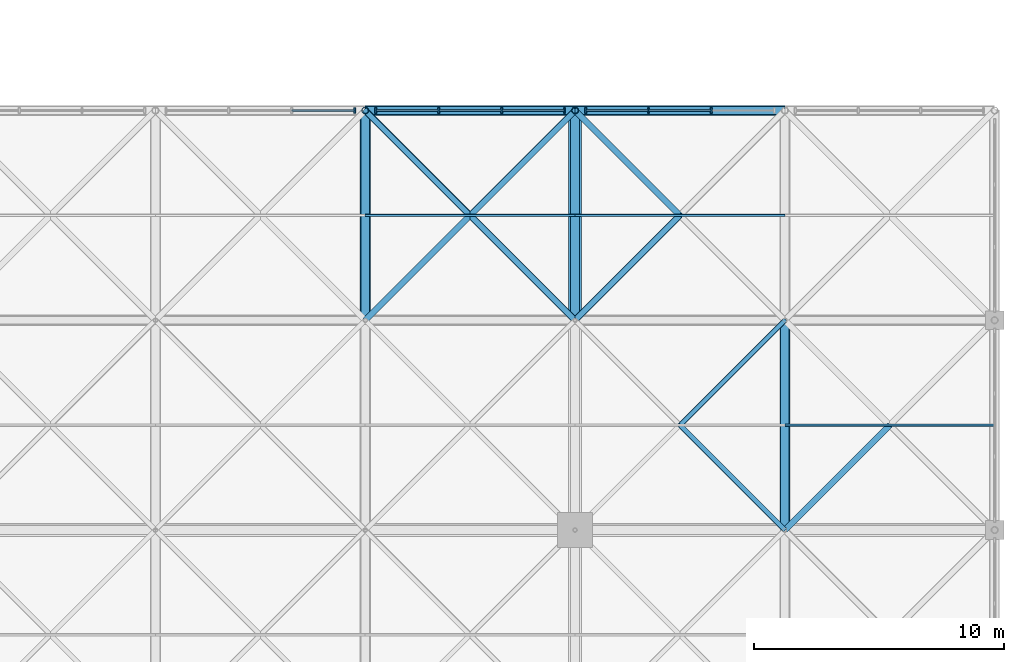
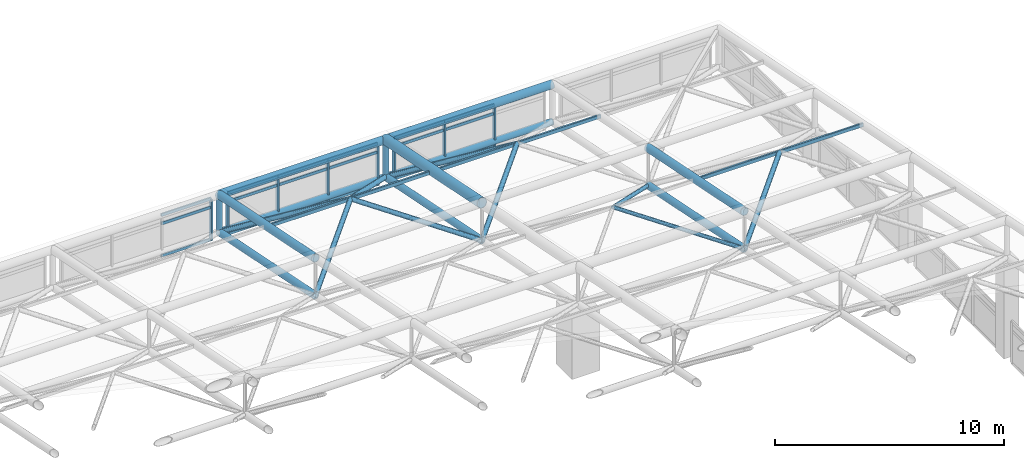
# One storey, part 66 of 110: 50 members, 3 elements without a shape of their own.
"""IFC4 building model written with IfcOpenShell, lengths in metres."""

from ifc_helpers import new_model, si_unit, direction, frame, origin, origin_2d, place, context, subcontext, project, spatial, rectangle, hollow_rectangle, hollow_circle, extrude, material, layer, layer_set, material_profile, profile_set, type_object, element, aggregate, save


model = new_model("IFC4")

# Units and contexts
model_context = context("Model", 3, precision=1e-05, world=origin(), true_north=direction((0.0, 1.0)))
body_context = subcontext(model_context, "Body", "Model", "MODEL_VIEW")
ifc_project = project(units=[si_unit("LENGTHUNIT", "METRE"), si_unit("AREAUNIT", "SQUARE_METRE"), si_unit("VOLUMEUNIT", "CUBIC_METRE"), si_unit("PLANEANGLEUNIT", "RADIAN"), si_unit("MASSUNIT", "GRAM", prefix="KILO")], contexts=[model_context])

# Site, building, storey
site_placement = place(None, origin())
site = spatial("IfcSite", under=ifc_project, at=site_placement, CompositionType="ELEMENT")
building_placement = place(site_placement, origin())
building = spatial("IfcBuilding", under=site, at=building_placement, Name="Qawsi Khor Wholesale Market", CompositionType="ELEMENT")
storey_placement = place(building_placement, frame((0.0, 0.0, 11.39990234375)))
storey = spatial("IfcBuildingStorey", under=building, at=storey_placement, Name="L02", CompositionType="ELEMENT", Elevation=11.39990234375)

# Curtain wall, member
ifc_material_1 = material(Name="Aluminium Anodised Bronze", Category="aluminium")
ifc_layer = layer(ifc_material_1, 0.199951171875, Name="Aluminium Anodised Bronze")
ifc_layer_set = layer_set([ifc_layer], Name="Aluminium Anodised Bronze")
curtain_wall_type = type_object("IfcCurtainWallType", Name="Trading Hall North-Light Curtain Wall CW-03", PredefinedType="NOTDEFINED", material=ifc_layer_set)
curtain_wall_1_placement = place(storey_placement, origin())
curtain_wall_1 = element("IfcCurtainWall", 1, at=curtain_wall_1_placement, inside=storey, type_object=curtain_wall_type, Name="Curtain wall CW-CW-03-L02-150", PredefinedType="NOTDEFINED")
ifc_material_profile_1 = material_profile(ifc_material_1, rectangle(XDim=0.074951171875, YDim=0.219970703125, at=origin_2d()), Name="ALU MULLION 75x220")
ifc_profile_set_1 = profile_set([ifc_material_profile_1], Name="Aluminium Anodised Bronze")
member_type_1 = type_object("IfcMemberType", Name="Curtain Wall Mullion CW-03 ALU MULLION 75x220", PredefinedType="MULLION", material=ifc_profile_set_1)
member_1_placement = place(storey_placement, frame((192.777587890625, 109.199951171875, -0.289794921875), z_axis=(0.0, 0.0, 1.0), x_axis=(1.0, 0.0, 0.0)))
member_1 = element("IfcMember", 2, at=member_1_placement, type_object=member_type_1, Name="Mullion CW-CW-03-L02-150-M03", PredefinedType="MULLION", context=body_context, shape_type="SweptSolid", body=[
    extrude(rectangle(XDim=0.074951171875, YDim=0.219970703125, at=origin_2d()), origin(), (0.0, 0.0, 1.0), 2.18994140625),
])

# Curtain wall, members
curtain_wall_2_placement = place(storey_placement, origin())
curtain_wall_2 = element("IfcCurtainWall", 3, at=curtain_wall_2_placement, inside=storey, type_object=curtain_wall_type, Name="Curtain wall CW-CW-03-L02-151", PredefinedType="NOTDEFINED")
member_2_placement = place(storey_placement, frame((193.62255859375, 109.199951171875, -0.289794921875), z_axis=(0.0, 0.0, 1.0), x_axis=(1.0, 0.0, 0.0)))
member_2 = element("IfcMember", 4, at=member_2_placement, type_object=member_type_1, Name="Mullion CW-CW-03-L02-151-M00", PredefinedType="MULLION", context=body_context, shape_type="SweptSolid", body=[
    extrude(rectangle(XDim=0.074951171875, YDim=0.219970703125, at=origin_2d()), origin(), (0.0, 0.0, 1.0), 2.18994140625),
])
member_3_placement = place(storey_placement, frame((196.140869140625, 109.199951171875, -0.289794921875), z_axis=(0.0, 0.0, 1.0), x_axis=(1.0, 0.0, 0.0)))
member_3 = element("IfcMember", 5, at=member_3_placement, type_object=member_type_1, Name="Mullion CW-CW-03-L02-151-M01", PredefinedType="MULLION", context=body_context, shape_type="SweptSolid", body=[
    extrude(rectangle(XDim=0.074951171875, YDim=0.219970703125, at=origin_2d()), origin(), (0.0, 0.0, 1.0), 2.18994140625),
])
member_4_placement = place(storey_placement, frame((198.6591796875, 109.199951171875, -0.289794921875), z_axis=(0.0, 0.0, 1.0), x_axis=(1.0, 0.0, 0.0)))
member_4 = element("IfcMember", 6, at=member_4_placement, type_object=member_type_1, Name="Mullion CW-CW-03-L02-151-M02", PredefinedType="MULLION", context=body_context, shape_type="SweptSolid", body=[
    extrude(rectangle(XDim=0.074951171875, YDim=0.219970703125, at=origin_2d()), origin(), (0.0, 0.0, 1.0), 2.18994140625),
])
member_5_placement = place(storey_placement, frame((201.177490234375, 109.199951171875, -0.289794921875), z_axis=(0.0, 0.0, 1.0), x_axis=(1.0, 0.0, 0.0)))
member_5 = element("IfcMember", 7, at=member_5_placement, type_object=member_type_1, Name="Mullion CW-CW-03-L02-151-M03", PredefinedType="MULLION", context=body_context, shape_type="SweptSolid", body=[
    extrude(rectangle(XDim=0.074951171875, YDim=0.219970703125, at=origin_2d()), origin(), (0.0, 0.0, 1.0), 2.18994140625),
])

curtain_wall_3_placement = place(storey_placement, origin())
curtain_wall_3 = element("IfcCurtainWall", 8, at=curtain_wall_3_placement, inside=storey, type_object=curtain_wall_type, Name="Curtain wall CW-CW-03-L02-152", PredefinedType="NOTDEFINED")
member_6_placement = place(storey_placement, frame((202.0224609375, 109.199951171875, -0.289794921875), z_axis=(0.0, 0.0, 1.0), x_axis=(1.0, 0.0, 0.0)))
member_6 = element("IfcMember", 9, at=member_6_placement, type_object=member_type_1, Name="Mullion CW-CW-03-L02-152-M00", PredefinedType="MULLION", context=body_context, shape_type="SweptSolid", body=[
    extrude(rectangle(XDim=0.074951171875, YDim=0.219970703125, at=origin_2d()), origin(), (0.0, 0.0, 1.0), 2.18994140625),
])
member_7_placement = place(storey_placement, frame((204.540771484375, 109.199951171875, -0.289794921875), z_axis=(0.0, 0.0, 1.0), x_axis=(1.0, 0.0, 0.0)))
member_7 = element("IfcMember", 10, at=member_7_placement, type_object=member_type_1, Name="Mullion CW-CW-03-L02-152-M01", PredefinedType="MULLION", context=body_context, shape_type="SweptSolid", body=[
    extrude(rectangle(XDim=0.074951171875, YDim=0.219970703125, at=origin_2d()), origin(), (0.0, 0.0, 1.0), 2.18994140625),
])
member_8_placement = place(storey_placement, frame((207.05908203125, 109.199951171875, -0.289794921875), z_axis=(0.0, 0.0, 1.0), x_axis=(1.0, 0.0, 0.0)))
member_8 = element("IfcMember", 11, at=member_8_placement, type_object=member_type_1, Name="Mullion CW-CW-03-L02-152-M02", PredefinedType="MULLION", context=body_context, shape_type="SweptSolid", body=[
    extrude(rectangle(XDim=0.074951171875, YDim=0.219970703125, at=origin_2d()), origin(), (0.0, 0.0, 1.0), 2.18994140625),
])

# Member
ifc_material_profile_2 = material_profile(ifc_material_1, rectangle(XDim=0.070068359375, YDim=0.14990234375, at=origin_2d()), Name="ALU TRANSOM 70x150")
ifc_profile_set_2 = profile_set([ifc_material_profile_2], Name="Aluminium Anodised Bronze")
member_type_2 = type_object("IfcMemberType", Name="Curtain Wall Transom CW-03 ALU TRANSOM 70x150", PredefinedType="USERDEFINED", material=ifc_profile_set_2)
member_9_placement = place(storey_placement, frame((190.25927734375, 109.199951171875, -0.27001953125), z_axis=(1.0, 0.0, 0.0), x_axis=(0.0, 1.0, 0.0)))
member_9 = element("IfcMember", 12, at=member_9_placement, type_object=member_type_2, Name="Transom CW-CW-03-L02-150-T0_02", ObjectType="TRANSOM", PredefinedType="USERDEFINED", context=body_context, shape_type="SweptSolid", body=[
    extrude(rectangle(XDim=0.070068359375, YDim=0.14990234375, at=origin_2d()), origin(), (0.0, 0.0, 1.0), 2.518310546875),
])

member_10_placement = place(storey_placement, frame((190.25927734375, 109.199951171875, 1.4501953125), z_axis=(1.0, 0.0, 0.0), x_axis=(0.0, 1.0, 0.0)))
member_10 = element("IfcMember", 13, at=member_10_placement, type_object=member_type_2, Name="Transom CW-CW-03-L02-150-T1_02", ObjectType="TRANSOM", PredefinedType="USERDEFINED", context=body_context, shape_type="SweptSolid", body=[
    extrude(rectangle(XDim=0.070068359375, YDim=0.14990234375, at=origin_2d()), origin(), (0.0, 0.0, 1.0), 2.518310546875),
])

member_11_placement = place(storey_placement, frame((190.25927734375, 109.199951171875, 1.900146484375), z_axis=(1.0, 0.0, 0.0), x_axis=(0.0, 1.0, 0.0)))
member_11 = element("IfcMember", 14, at=member_11_placement, type_object=member_type_2, Name="Transom CW-CW-03-L02-150-T2_02", ObjectType="TRANSOM", PredefinedType="USERDEFINED", context=body_context, shape_type="SweptSolid", body=[
    extrude(rectangle(XDim=0.070068359375, YDim=0.14990234375, at=origin_2d()), origin(), (0.0, 0.0, 1.0), 2.518310546875),
])

aggregate(curtain_wall_1, [member_1, member_9, member_10, member_11])

member_12_placement = place(storey_placement, frame((193.62255859375, 109.199951171875, -0.27001953125), z_axis=(1.0, 0.0, 0.0), x_axis=(0.0, 1.0, 0.0)))
member_12 = element("IfcMember", 15, at=member_12_placement, type_object=member_type_2, Name="Transom CW-CW-03-L02-151-T0_00", ObjectType="TRANSOM", PredefinedType="USERDEFINED", context=body_context, shape_type="SweptSolid", body=[
    extrude(rectangle(XDim=0.070068359375, YDim=0.14990234375, at=origin_2d()), origin(), (0.0, 0.0, 1.0), 2.518310546875),
])

member_13_placement = place(storey_placement, frame((196.140869140625, 109.199951171875, -0.27001953125), z_axis=(1.0, 0.0, 0.0), x_axis=(0.0, 1.0, 0.0)))
member_13 = element("IfcMember", 16, at=member_13_placement, type_object=member_type_2, Name="Transom CW-CW-03-L02-151-T0_01", ObjectType="TRANSOM", PredefinedType="USERDEFINED", context=body_context, shape_type="SweptSolid", body=[
    extrude(rectangle(XDim=0.070068359375, YDim=0.14990234375, at=origin_2d()), origin(), (0.0, 0.0, 1.0), 2.518310546875),
])

member_14_placement = place(storey_placement, frame((198.6591796875, 109.199951171875, -0.27001953125), z_axis=(1.0, 0.0, 0.0), x_axis=(0.0, 1.0, 0.0)))
member_14 = element("IfcMember", 17, at=member_14_placement, type_object=member_type_2, Name="Transom CW-CW-03-L02-151-T0_02", ObjectType="TRANSOM", PredefinedType="USERDEFINED", context=body_context, shape_type="SweptSolid", body=[
    extrude(rectangle(XDim=0.070068359375, YDim=0.14990234375, at=origin_2d()), origin(), (0.0, 0.0, 1.0), 2.518310546875),
])

member_15_placement = place(storey_placement, frame((193.62255859375, 109.199951171875, 1.4501953125), z_axis=(1.0, 0.0, 0.0), x_axis=(0.0, 1.0, 0.0)))
member_15 = element("IfcMember", 18, at=member_15_placement, type_object=member_type_2, Name="Transom CW-CW-03-L02-151-T1_00", ObjectType="TRANSOM", PredefinedType="USERDEFINED", context=body_context, shape_type="SweptSolid", body=[
    extrude(rectangle(XDim=0.070068359375, YDim=0.14990234375, at=origin_2d()), origin(), (0.0, 0.0, 1.0), 2.518310546875),
])

member_16_placement = place(storey_placement, frame((196.140869140625, 109.199951171875, 1.4501953125), z_axis=(1.0, 0.0, 0.0), x_axis=(0.0, 1.0, 0.0)))
member_16 = element("IfcMember", 19, at=member_16_placement, type_object=member_type_2, Name="Transom CW-CW-03-L02-151-T1_01", ObjectType="TRANSOM", PredefinedType="USERDEFINED", context=body_context, shape_type="SweptSolid", body=[
    extrude(rectangle(XDim=0.070068359375, YDim=0.14990234375, at=origin_2d()), origin(), (0.0, 0.0, 1.0), 2.518310546875),
])

member_17_placement = place(storey_placement, frame((198.6591796875, 109.199951171875, 1.4501953125), z_axis=(1.0, 0.0, 0.0), x_axis=(0.0, 1.0, 0.0)))
member_17 = element("IfcMember", 20, at=member_17_placement, type_object=member_type_2, Name="Transom CW-CW-03-L02-151-T1_02", ObjectType="TRANSOM", PredefinedType="USERDEFINED", context=body_context, shape_type="SweptSolid", body=[
    extrude(rectangle(XDim=0.070068359375, YDim=0.14990234375, at=origin_2d()), origin(), (0.0, 0.0, 1.0), 2.518310546875),
])

member_18_placement = place(storey_placement, frame((193.62255859375, 109.199951171875, 1.900146484375), z_axis=(1.0, 0.0, 0.0), x_axis=(0.0, 1.0, 0.0)))
member_18 = element("IfcMember", 21, at=member_18_placement, type_object=member_type_2, Name="Transom CW-CW-03-L02-151-T2_00", ObjectType="TRANSOM", PredefinedType="USERDEFINED", context=body_context, shape_type="SweptSolid", body=[
    extrude(rectangle(XDim=0.070068359375, YDim=0.14990234375, at=origin_2d()), origin(), (0.0, 0.0, 1.0), 2.518310546875),
])

member_19_placement = place(storey_placement, frame((196.140869140625, 109.199951171875, 1.900146484375), z_axis=(1.0, 0.0, 0.0), x_axis=(0.0, 1.0, 0.0)))
member_19 = element("IfcMember", 22, at=member_19_placement, type_object=member_type_2, Name="Transom CW-CW-03-L02-151-T2_01", ObjectType="TRANSOM", PredefinedType="USERDEFINED", context=body_context, shape_type="SweptSolid", body=[
    extrude(rectangle(XDim=0.070068359375, YDim=0.14990234375, at=origin_2d()), origin(), (0.0, 0.0, 1.0), 2.518310546875),
])

member_20_placement = place(storey_placement, frame((198.6591796875, 109.199951171875, 1.900146484375), z_axis=(1.0, 0.0, 0.0), x_axis=(0.0, 1.0, 0.0)))
member_20 = element("IfcMember", 23, at=member_20_placement, type_object=member_type_2, Name="Transom CW-CW-03-L02-151-T2_02", ObjectType="TRANSOM", PredefinedType="USERDEFINED", context=body_context, shape_type="SweptSolid", body=[
    extrude(rectangle(XDim=0.070068359375, YDim=0.14990234375, at=origin_2d()), origin(), (0.0, 0.0, 1.0), 2.518310546875),
])

aggregate(curtain_wall_2, [member_2, member_3, member_4, member_5, member_12, member_13, member_14, member_15, member_16, member_17, member_18, member_19, member_20])

member_21_placement = place(storey_placement, frame((202.0224609375, 109.199951171875, -0.27001953125), z_axis=(1.0, 0.0, 0.0), x_axis=(0.0, 1.0, 0.0)))
member_21 = element("IfcMember", 24, at=member_21_placement, type_object=member_type_2, Name="Transom CW-CW-03-L02-152-T0_00", ObjectType="TRANSOM", PredefinedType="USERDEFINED", context=body_context, shape_type="SweptSolid", body=[
    extrude(rectangle(XDim=0.070068359375, YDim=0.14990234375, at=origin_2d()), origin(), (0.0, 0.0, 1.0), 2.518310546875),
])

member_22_placement = place(storey_placement, frame((204.540771484375, 109.199951171875, -0.27001953125), z_axis=(1.0, 0.0, 0.0), x_axis=(0.0, 1.0, 0.0)))
member_22 = element("IfcMember", 25, at=member_22_placement, type_object=member_type_2, Name="Transom CW-CW-03-L02-152-T0_01", ObjectType="TRANSOM", PredefinedType="USERDEFINED", context=body_context, shape_type="SweptSolid", body=[
    extrude(rectangle(XDim=0.070068359375, YDim=0.14990234375, at=origin_2d()), origin(), (0.0, 0.0, 1.0), 2.518310546875),
])

member_23_placement = place(storey_placement, frame((202.0224609375, 109.199951171875, 1.4501953125), z_axis=(1.0, 0.0, 0.0), x_axis=(0.0, 1.0, 0.0)))
member_23 = element("IfcMember", 26, at=member_23_placement, type_object=member_type_2, Name="Transom CW-CW-03-L02-152-T1_00", ObjectType="TRANSOM", PredefinedType="USERDEFINED", context=body_context, shape_type="SweptSolid", body=[
    extrude(rectangle(XDim=0.070068359375, YDim=0.14990234375, at=origin_2d()), origin(), (0.0, 0.0, 1.0), 2.518310546875),
])

member_24_placement = place(storey_placement, frame((204.540771484375, 109.199951171875, 1.4501953125), z_axis=(1.0, 0.0, 0.0), x_axis=(0.0, 1.0, 0.0)))
member_24 = element("IfcMember", 27, at=member_24_placement, type_object=member_type_2, Name="Transom CW-CW-03-L02-152-T1_01", ObjectType="TRANSOM", PredefinedType="USERDEFINED", context=body_context, shape_type="SweptSolid", body=[
    extrude(rectangle(XDim=0.070068359375, YDim=0.14990234375, at=origin_2d()), origin(), (0.0, 0.0, 1.0), 2.518310546875),
])

member_25_placement = place(storey_placement, frame((202.0224609375, 109.199951171875, 1.900146484375), z_axis=(1.0, 0.0, 0.0), x_axis=(0.0, 1.0, 0.0)))
member_25 = element("IfcMember", 28, at=member_25_placement, type_object=member_type_2, Name="Transom CW-CW-03-L02-152-T2_00", ObjectType="TRANSOM", PredefinedType="USERDEFINED", context=body_context, shape_type="SweptSolid", body=[
    extrude(rectangle(XDim=0.070068359375, YDim=0.14990234375, at=origin_2d()), origin(), (0.0, 0.0, 1.0), 2.518310546875),
])

member_26_placement = place(storey_placement, frame((204.540771484375, 109.199951171875, 1.900146484375), z_axis=(1.0, 0.0, 0.0), x_axis=(0.0, 1.0, 0.0)))
member_26 = element("IfcMember", 29, at=member_26_placement, type_object=member_type_2, Name="Transom CW-CW-03-L02-152-T2_01", ObjectType="TRANSOM", PredefinedType="USERDEFINED", context=body_context, shape_type="SweptSolid", body=[
    extrude(rectangle(XDim=0.070068359375, YDim=0.14990234375, at=origin_2d()), origin(), (0.0, 0.0, 1.0), 2.518310546875),
])

aggregate(curtain_wall_3, [member_6, member_7, member_8, member_21, member_22, member_23, member_24, member_25, member_26])

# Members
ifc_material_2 = material(Name="Steel S355", Category="steel")
ifc_material_profile_3 = material_profile(ifc_material_2, hollow_circle(Radius=0.177734375, WallThickness=0.01611328125, at=origin_2d()), Name="CHS 355.6x16.0")
ifc_profile_set_3 = profile_set([ifc_material_profile_3], Name="Steel S355")
member_type_3 = type_object("IfcMemberType", Name="Space-Frame Bottom Chord CHS 355.6x16.0", PredefinedType="CHORD", material=ifc_profile_set_3)
for number, where, z_axis, x_axis, name in (
    (30, (193.199951171875, 100.800048828125, 1.670166015625), (0.0, 0.980129990483, -0.1983562496), (-1.0, 0.0, 0.0), "Space frame bottom chord Y EH (23,12)"),
    (31, (201.60009765625, 100.800048828125, 1.670166015625), (0.0, 0.980129990483, -0.1983562496), (-1.0, 0.0, 0.0), "Space frame bottom chord Y EH (24,12)"),
    (32, (210.0, 92.39990234375, 3.3701171875), (0.0, 0.98013111127, -0.198350711418), (-1.0, 0.0, 0.0), "Space frame bottom chord Y EH (25,11)"),
):
    element("IfcMember", number, at=place(storey_placement, frame(where, z_axis=z_axis, x_axis=x_axis)), inside=storey, type_object=member_type_3, Name=name, PredefinedType="CHORD", context=body_context, shape_type="SweptSolid", body=[
        extrude(hollow_circle(Radius=0.177734375, WallThickness=0.01611328125, at=origin_2d()), origin(), (0.0, 0.0, 1.0), 8.5703125),
    ])
ifc_material_profile_4 = material_profile(ifc_material_2, hollow_circle(Radius=0.136474609375, WallThickness=0.012451171875, at=origin_2d()), Name="CHS 273.0x12.5")
ifc_profile_set_4 = profile_set([ifc_material_profile_4], Name="Steel S355")
member_type_4 = type_object("IfcMemberType", Name="Space-Frame Edge Post CHS 273.0x12.5", PredefinedType="POST", material=ifc_profile_set_4)
for number, where, z_axis, x_axis, name in (
    (33, (193.199951171875, 109.199951171875, -0.02978515625), (0.0, 0.0, 1.0), (1.0, 0.0, 0.0), "Space frame post EH (23,13)"),
    (34, (201.60009765625, 109.199951171875, -0.02978515625), (0.0, 0.0, 1.0), (1.0, 0.0, 0.0), "Space frame post EH (24,13)"),
):
    element("IfcMember", number, at=place(storey_placement, frame(where, z_axis=z_axis, x_axis=x_axis)), inside=storey, type_object=member_type_4, Name=name, PredefinedType="POST", context=body_context, shape_type="SweptSolid", body=[
        extrude(hollow_circle(Radius=0.136474609375, WallThickness=0.012451171875, at=origin_2d()), origin(), (0.0, 0.0, 1.0), 2.0),
    ])
ifc_material_profile_5 = material_profile(ifc_material_2, hollow_circle(Radius=0.122314453125, WallThickness=0.012451171875, at=origin_2d()), Name="CHS 244.5x12.5")
ifc_profile_set_5 = profile_set([ifc_material_profile_5], Name="Steel S355")
member_type_5 = type_object("IfcMemberType", Name="Space-Frame Heavy Diagonal CHS 244.5x12.5", PredefinedType="POST", material=ifc_profile_set_5)
member_27_placement = place(storey_placement, frame((193.199951171875, 100.800048828125, 1.670166015625), z_axis=(0.694216714393, 0.694216714393, 0.190069216113), x_axis=(-0.707106781187, 0.707106781187, 0.0)))
element("IfcMember", 35, at=member_27_placement, inside=storey, type_object=member_type_5, Name="Space frame diagonal EH (23,12)-1", PredefinedType="POST", context=body_context, shape_type="SweptSolid", body=[
    extrude(hollow_circle(Radius=0.122314453125, WallThickness=0.012451171875, at=origin_2d()), origin(), (0.0, 0.0, 1.0), 6.0498046875),
])
member_28_placement = place(storey_placement, frame((201.60009765625, 100.800048828125, 1.670166015625), z_axis=(-0.694237619642, 0.694197266374, 0.19006389145), x_axis=(-0.70708622964, -0.707127332136, 0.0)))
element("IfcMember", 36, at=member_28_placement, inside=storey, type_object=member_type_5, Name="Space frame diagonal EH (23,12)-2", PredefinedType="POST", context=body_context, shape_type="SweptSolid", body=[
    extrude(hollow_circle(Radius=0.122314453125, WallThickness=0.012451171875, at=origin_2d()), origin(), (0.0, 0.0, 1.0), 6.050048828125),
])
member_29_placement = place(storey_placement, frame((201.60009765625, 109.199951171875, -0.02978515625), z_axis=(-0.637543957519, -0.637506899628, 0.432576762155), x_axis=(0.70708622964, -0.707127332136, 0.0)))
element("IfcMember", 37, at=member_29_placement, inside=storey, type_object=member_type_5, Name="Space frame diagonal EH (23,12)-3", PredefinedType="POST", context=body_context, shape_type="SweptSolid", body=[
    extrude(hollow_circle(Radius=0.122314453125, WallThickness=0.012451171875, at=origin_2d()), origin(), (0.0, 0.0, 1.0), 6.588134765625),
])
member_30_placement = place(storey_placement, frame((193.199951171875, 109.199951171875, -0.02978515625), z_axis=(0.637521961484, -0.637521961484, 0.432586982294), x_axis=(0.707106781187, 0.707106781187, 0.0)))
element("IfcMember", 38, at=member_30_placement, inside=storey, type_object=member_type_5, Name="Space frame diagonal EH (23,12)-4", PredefinedType="POST", context=body_context, shape_type="SweptSolid", body=[
    extrude(hollow_circle(Radius=0.122314453125, WallThickness=0.012451171875, at=origin_2d()), origin(), (0.0, 0.0, 1.0), 6.587890625),
])
member_31_placement = place(storey_placement, frame((201.60009765625, 100.800048828125, 1.670166015625), z_axis=(0.694216714393, 0.694216714393, 0.190069216113), x_axis=(-0.707106781187, 0.707106781187, 0.0)))
element("IfcMember", 39, at=member_31_placement, inside=storey, type_object=member_type_5, Name="Space frame diagonal EH (24,12)-1", PredefinedType="POST", context=body_context, shape_type="SweptSolid", body=[
    extrude(hollow_circle(Radius=0.122314453125, WallThickness=0.012451171875, at=origin_2d()), origin(), (0.0, 0.0, 1.0), 6.0498046875),
])
member_32_placement = place(storey_placement, frame((201.60009765625, 109.199951171875, -0.02978515625), z_axis=(0.637521961484, -0.637521961484, 0.432586982294), x_axis=(0.707106781187, 0.707106781187, 0.0)))
element("IfcMember", 40, at=member_32_placement, inside=storey, type_object=member_type_5, Name="Space frame diagonal EH (24,12)-4", PredefinedType="POST", context=body_context, shape_type="SweptSolid", body=[
    extrude(hollow_circle(Radius=0.122314453125, WallThickness=0.012451171875, at=origin_2d()), origin(), (0.0, 0.0, 1.0), 6.587890625),
])
member_33_placement = place(storey_placement, frame((210.0, 92.39990234375, 3.3701171875), z_axis=(0.694197266374, 0.694237619642, 0.19006389145), x_axis=(-0.707127332136, 0.70708622964, 0.0)))
element("IfcMember", 41, at=member_33_placement, inside=storey, type_object=member_type_5, Name="Space frame diagonal EH (25,11)-1", PredefinedType="POST", context=body_context, shape_type="SweptSolid", body=[
    extrude(hollow_circle(Radius=0.122314453125, WallThickness=0.012451171875, at=origin_2d()), origin(), (0.0, 0.0, 1.0), 6.050048828125),
])
ifc_material_profile_6 = material_profile(ifc_material_2, hollow_circle(Radius=0.25390625, WallThickness=0.02490234375, at=origin_2d()), Name="CHS 508.0x25.0")
ifc_profile_set_6 = profile_set([ifc_material_profile_6], Name="Steel S355")
member_type_6 = type_object("IfcMemberType", Name="Space-Frame Main Chord CHS 508.0x25.0", PredefinedType="CHORD", material=ifc_profile_set_6)
member_34_placement = place(storey_placement, frame((201.60009765625, 100.800048828125, 3.670166015625), z_axis=(0.0, 0.980129990483, -0.1983562496), x_axis=(-1.0, 0.0, 0.0)))
element("IfcMember", 42, at=member_34_placement, inside=storey, type_object=member_type_6, Name="Space frame top chord Y EH (24,12)", PredefinedType="CHORD", context=body_context, shape_type="SweptSolid", body=[
    extrude(hollow_circle(Radius=0.25390625, WallThickness=0.02490234375, at=origin_2d()), origin(), (0.0, 0.0, 1.0), 8.5703125),
])
ifc_material_profile_7 = material_profile(ifc_material_2, hollow_rectangle(XDim=0.10009765625, YDim=0.199951171875, WallThickness=0.008056640625, InnerFilletRadius=0.008056640625, OuterFilletRadius=0.01611328125, at=origin_2d()), Name="RHS 200x100x8.0")
ifc_profile_set_7 = profile_set([ifc_material_profile_7], Name="Steel S355")
member_type_7 = type_object("IfcMemberType", Name="Space-Frame Purlin RHS 200x100x8.0", PredefinedType="PURLIN", material=ifc_profile_set_7)
member_35_placement = place(storey_placement, frame((193.199951171875, 105.0, 2.820068359375), z_axis=(1.0, 0.0, 0.0), x_axis=(0.0, 1.0, 0.0)))
element("IfcMember", 43, at=member_35_placement, inside=storey, type_object=member_type_7, Name="Space frame purlin EH (23,12)", PredefinedType="PURLIN", context=body_context, shape_type="SweptSolid", body=[
    extrude(hollow_rectangle(XDim=0.10009765625, YDim=0.199951171875, WallThickness=0.008056640625, InnerFilletRadius=0.008056640625, OuterFilletRadius=0.01611328125, at=origin_2d()), origin(), (0.0, 0.0, 1.0), 8.400146484375),
])
for number, where, z_axis, x_axis, name in (
    (44, (201.60009765625, 105.0, 2.820068359375), (1.0, 0.0, 0.0), (0.0, 1.0, 0.0), "Space frame purlin EH (24,12)"),
    (45, (210.0, 96.60009765625, 4.52001953125), (1.0, 0.0, 0.0), (0.0, 1.0, 0.0), "Space frame purlin EH (25,11)"),
):
    element("IfcMember", number, at=place(storey_placement, frame(where, z_axis=z_axis, x_axis=x_axis)), inside=storey, type_object=member_type_7, Name=name, PredefinedType="PURLIN", context=body_context, shape_type="SweptSolid", body=[
        extrude(hollow_rectangle(XDim=0.10009765625, YDim=0.199951171875, WallThickness=0.008056640625, InnerFilletRadius=0.008056640625, OuterFilletRadius=0.01611328125, at=origin_2d()), origin(), (0.0, 0.0, 1.0), 8.39990234375),
    ])
ifc_material_profile_8 = material_profile(ifc_material_2, hollow_circle(Radius=0.161865234375, WallThickness=0.01611328125, at=origin_2d()), Name="CHS 323.9x16.0")
ifc_profile_set_8 = profile_set([ifc_material_profile_8], Name="Steel S355")
member_type_8 = type_object("IfcMemberType", Name="Space-Frame Secondary Chord CHS 323.9x16.0", PredefinedType="CHORD", material=ifc_profile_set_8)
member_36_placement = place(storey_placement, frame((193.199951171875, 109.199951171875, -0.02978515625), z_axis=(1.0, 0.0, 0.0), x_axis=(0.0, 1.0, 0.0)))
element("IfcMember", 46, at=member_36_placement, inside=storey, type_object=member_type_8, Name="Space frame bottom chord X EH (23,13)", PredefinedType="CHORD", context=body_context, shape_type="SweptSolid", body=[
    extrude(hollow_circle(Radius=0.161865234375, WallThickness=0.01611328125, at=origin_2d()), origin(), (0.0, 0.0, 1.0), 8.400146484375),
])
member_37_placement = place(storey_placement, frame((201.60009765625, 109.199951171875, -0.02978515625), z_axis=(1.0, 0.0, 0.0), x_axis=(0.0, 1.0, 0.0)))
element("IfcMember", 47, at=member_37_placement, inside=storey, type_object=member_type_8, Name="Space frame bottom chord X EH (24,13)", PredefinedType="CHORD", context=body_context, shape_type="SweptSolid", body=[
    extrude(hollow_circle(Radius=0.161865234375, WallThickness=0.01611328125, at=origin_2d()), origin(), (0.0, 0.0, 1.0), 8.39990234375),
])
ifc_material_profile_9 = material_profile(ifc_material_2, hollow_circle(Radius=0.096923828125, WallThickness=0.008056640625, at=origin_2d()), Name="CHS 193.7x8.0")
ifc_profile_set_9 = profile_set([ifc_material_profile_9], Name="Steel S355")
member_type_9 = type_object("IfcMemberType", Name="Space-Frame Secondary Diagonal CHS 193.7x8.0", PredefinedType="RAFTER", material=ifc_profile_set_9)
member_38_placement = place(storey_placement, frame((210.0, 92.39990234375, 3.3701171875), z_axis=(-0.694197266374, 0.694237619642, 0.19006389145), x_axis=(-0.707127332136, -0.70708622964, 0.0)))
element("IfcMember", 48, at=member_38_placement, inside=storey, type_object=member_type_9, Name="Space frame diagonal EH (24,11)-2", PredefinedType="RAFTER", context=body_context, shape_type="SweptSolid", body=[
    extrude(hollow_circle(Radius=0.096923828125, WallThickness=0.008056640625, at=origin_2d()), origin(), (0.0, 0.0, 1.0), 6.050048828125),
])
member_39_placement = place(storey_placement, frame((210.0, 100.800048828125, 1.670166015625), z_axis=(-0.637521961484, -0.637521961484, 0.432586982294), x_axis=(0.707106781187, -0.707106781187, 0.0)))
element("IfcMember", 49, at=member_39_placement, inside=storey, type_object=member_type_9, Name="Space frame diagonal EH (24,11)-3", PredefinedType="RAFTER", context=body_context, shape_type="SweptSolid", body=[
    extrude(hollow_circle(Radius=0.096923828125, WallThickness=0.008056640625, at=origin_2d()), origin(), (0.0, 0.0, 1.0), 6.587890625),
])
ifc_material_profile_10 = material_profile(ifc_material_2, hollow_circle(Radius=0.203125, WallThickness=0.02001953125, at=origin_2d()), Name="CHS 406.4x20.0")
ifc_profile_set_10 = profile_set([ifc_material_profile_10], Name="Steel S355")
member_type_10 = type_object("IfcMemberType", Name="Space-Frame Top Chord CHS 406.4x20.0", PredefinedType="CHORD", material=ifc_profile_set_10)
member_40_placement = place(storey_placement, frame((193.199951171875, 100.800048828125, 3.670166015625), z_axis=(0.0, 0.980129990483, -0.1983562496), x_axis=(-1.0, 0.0, 0.0)))
element("IfcMember", 50, at=member_40_placement, inside=storey, type_object=member_type_10, Name="Space frame top chord Y EH (23,12)", PredefinedType="CHORD", context=body_context, shape_type="SweptSolid", body=[
    extrude(hollow_circle(Radius=0.203125, WallThickness=0.02001953125, at=origin_2d()), origin(), (0.0, 0.0, 1.0), 8.5703125),
])
member_41_placement = place(storey_placement, frame((193.199951171875, 109.199951171875, 1.97021484375), z_axis=(1.0, 0.0, 0.0), x_axis=(0.0, 1.0, 0.0)))
element("IfcMember", 51, at=member_41_placement, inside=storey, type_object=member_type_10, Name="Space frame top chord X EH (23,13)", PredefinedType="CHORD", context=body_context, shape_type="SweptSolid", body=[
    extrude(hollow_circle(Radius=0.203125, WallThickness=0.02001953125, at=origin_2d()), origin(), (0.0, 0.0, 1.0), 8.400146484375),
])
member_42_placement = place(storey_placement, frame((201.60009765625, 109.199951171875, 1.97021484375), z_axis=(1.0, 0.0, 0.0), x_axis=(0.0, 1.0, 0.0)))
element("IfcMember", 52, at=member_42_placement, inside=storey, type_object=member_type_10, Name="Space frame top chord X EH (24,13)", PredefinedType="CHORD", context=body_context, shape_type="SweptSolid", body=[
    extrude(hollow_circle(Radius=0.203125, WallThickness=0.02001953125, at=origin_2d()), origin(), (0.0, 0.0, 1.0), 8.39990234375),
])
member_43_placement = place(storey_placement, frame((210.0, 92.39990234375, 5.3701171875), z_axis=(0.0, 0.98013111127, -0.198350711418), x_axis=(-1.0, 0.0, 0.0)))
element("IfcMember", 53, at=member_43_placement, inside=storey, type_object=member_type_10, Name="Space frame top chord Y EH (25,11)", PredefinedType="CHORD", context=body_context, shape_type="SweptSolid", body=[
    extrude(hollow_circle(Radius=0.203125, WallThickness=0.02001953125, at=origin_2d()), origin(), (0.0, 0.0, 1.0), 8.5703125),
])

save(model, "model.ifc")
